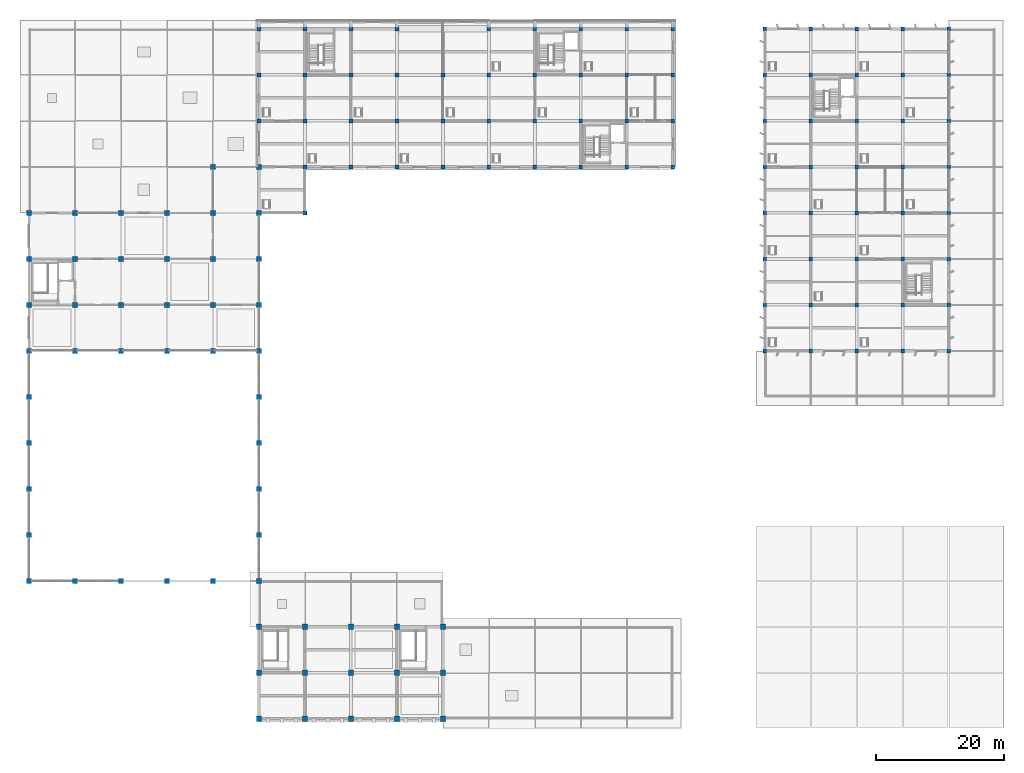
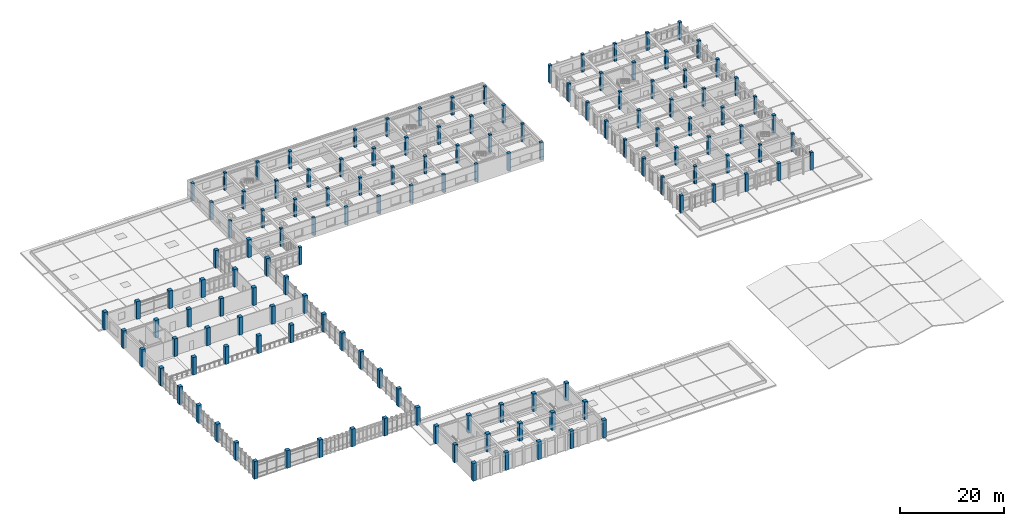
# One storey, part 1 of 62: 134 columns.
"""IFC4 building model written with IfcOpenShell, lengths in metres."""

from ifc_helpers import new_model, si_unit, direction, frame, origin, origin_2d, place, context, subcontext, project, spatial, rectangle, extrude, material, material_profile, profile_set, type_object, element, save


model = new_model("IFC4")

# Units and contexts
model_context = context("Model", 3, precision=1e-05, world=origin(), true_north=direction((0.0, 1.0)))
body_context = subcontext(model_context, "Body", "Model", "MODEL_VIEW")
ifc_project = project(units=[si_unit("LENGTHUNIT", "METRE"), si_unit("AREAUNIT", "SQUARE_METRE"), si_unit("VOLUMEUNIT", "CUBIC_METRE"), si_unit("PLANEANGLEUNIT", "RADIAN"), si_unit("MASSUNIT", "GRAM", prefix="KILO")], contexts=[model_context])

# Site, building, storey
site_placement = place(None, origin())
site = spatial("IfcSite", under=ifc_project, at=site_placement, CompositionType="ELEMENT")
building_placement = place(site_placement, origin())
building = spatial("IfcBuilding", under=site, at=building_placement, Name="Kavelor Marine Aquarium", CompositionType="ELEMENT")
storey_placement = place(building_placement, frame((0.0, 0.0, 13.5)))
storey = spatial("IfcBuildingStorey", under=building, at=storey_placement, Name="L03", CompositionType="ELEMENT", Elevation=13.5)

# Columns
ifc_material_1 = material(Name="Concrete C40/50", Category="concrete")
ifc_material_profile_1 = material_profile(ifc_material_1, rectangle(XDim=0.800048828125, YDim=0.800048828125, at=origin_2d()), Name="RC-COL 800x800")
ifc_profile_set_1 = profile_set([ifc_material_profile_1], Name="Concrete C40/50")
column_type_1 = type_object("IfcColumnType", Name="COL-C3", PredefinedType="COLUMN", material=ifc_profile_set_1)
for number, where, z_axis, x_axis, name in (
    (1, (3.199951171875, 24.39990234375, 0.0), (0.0, 0.0, 1.0), (1.0, 0.0, 0.0), "col:L03:00_03"),
    (2, (3.199951171875, 31.60009765625, 0.0), (0.0, 0.0, 1.0), (1.0, 0.0, 0.0), "col:L03:00_04"),
    (3, (3.199951171875, 38.800048828125, 0.0), (0.0, 0.0, 1.0), (1.0, 0.0, 0.0), "col:L03:00_05"),
    (4, (3.199951171875, 46.0, 0.0), (0.0, 0.0, 1.0), (1.0, 0.0, 0.0), "col:L03:00_06"),
    (5, (3.199951171875, 53.199951171875, 0.0), (0.0, 0.0, 1.0), (1.0, 0.0, 0.0), "col:L03:00_07"),
    (6, (3.199951171875, 60.39990234375, 0.0), (0.0, 0.0, 1.0), (1.0, 0.0, 0.0), "col:L03:00_08"),
    (7, (3.199951171875, 67.60009765625, 0.0), (0.0, 0.0, 1.0), (1.0, 0.0, 0.0), "col:L03:00_09"),
    (8, (3.199951171875, 74.800048828125, 0.0), (0.0, 0.0, 1.0), (1.0, 0.0, 0.0), "col:L03:00_10"),
    (9, (3.199951171875, 82.0, 0.0), (0.0, 0.0, 1.0), (1.0, 0.0, 0.0), "col:L03:00_11"),
    (10, (10.39990234375, 24.39990234375, 0.0), (0.0, 0.0, 1.0), (1.0, 0.0, 0.0), "col:L03:01_03"),
    (11, (10.39990234375, 60.39990234375, 0.0), (0.0, 0.0, 1.0), (1.0, 0.0, 0.0), "col:L03:01_08"),
    (12, (10.39990234375, 67.60009765625, 0.0), (0.0, 0.0, 1.0), (1.0, 0.0, 0.0), "col:L03:01_09"),
    (13, (10.39990234375, 74.800048828125, 0.0), (0.0, 0.0, 1.0), (1.0, 0.0, 0.0), "col:L03:01_10"),
    (14, (10.39990234375, 82.0, 0.0), (0.0, 0.0, 1.0), (1.0, 0.0, 0.0), "col:L03:01_11"),
    (15, (17.60009765625, 24.39990234375, 0.0), (0.0, 0.0, 1.0), (1.0, 0.0, 0.0), "col:L03:02_03"),
    (16, (17.60009765625, 60.39990234375, 0.0), (0.0, 0.0, 1.0), (1.0, 0.0, 0.0), "col:L03:02_08"),
    (17, (17.60009765625, 67.60009765625, 0.0), (0.0, 0.0, 1.0), (1.0, 0.0, 0.0), "col:L03:02_09"),
    (18, (17.60009765625, 74.800048828125, 0.0), (0.0, 0.0, 1.0), (1.0, 0.0, 0.0), "col:L03:02_10"),
    (19, (17.60009765625, 82.0, 0.0), (0.0, 0.0, 1.0), (1.0, 0.0, 0.0), "col:L03:02_11"),
    (20, (24.800048828125, 24.39990234375, 0.0), (0.0, 0.0, 1.0), (1.0, 0.0, 0.0), "col:L03:03_03"),
    (21, (24.800048828125, 60.39990234375, 0.0), (0.0, 0.0, 1.0), (1.0, 0.0, 0.0), "col:L03:03_08"),
    (22, (24.800048828125, 67.60009765625, 0.0), (0.0, 0.0, 1.0), (1.0, 0.0, 0.0), "col:L03:03_09"),
    (23, (24.800048828125, 74.800048828125, 0.0), (0.0, 0.0, 1.0), (1.0, 0.0, 0.0), "col:L03:03_10"),
    (24, (24.800048828125, 82.0, 0.0), (0.0, 0.0, 1.0), (1.0, 0.0, 0.0), "col:L03:03_11"),
    (25, (32.0, 24.39990234375, 0.0), (0.0, 0.0, 1.0), (1.0, 0.0, 0.0), "col:L03:04_03"),
    (26, (32.0, 60.39990234375, 0.0), (0.0, 0.0, 1.0), (1.0, 0.0, 0.0), "col:L03:04_08"),
    (27, (32.0, 67.60009765625, 0.0), (0.0, 0.0, 1.0), (1.0, 0.0, 0.0), "col:L03:04_09"),
    (28, (32.0, 74.800048828125, 0.0), (0.0, 0.0, 1.0), (1.0, 0.0, 0.0), "col:L03:04_10"),
    (29, (32.0, 82.0, 0.0), (0.0, 0.0, 1.0), (1.0, 0.0, 0.0), "col:L03:04_11"),
    (30, (32.0, 89.199951171875, 0.0), (0.0, 0.0, 1.0), (1.0, 0.0, 0.0), "col:L03:04_12"),
    (31, (39.199951171875, 2.800048828125, 0.0), (0.0, 0.0, 1.0), (1.0, 0.0, 0.0), "col:L03:05_00"),
    (32, (39.199951171875, 10.0, 0.0), (0.0, 0.0, 1.0), (1.0, 0.0, 0.0), "col:L03:05_01"),
    (33, (39.199951171875, 17.199951171875, 0.0), (0.0, 0.0, 1.0), (1.0, 0.0, 0.0), "col:L03:05_02"),
    (34, (39.199951171875, 24.39990234375, 0.0), (0.0, 0.0, 1.0), (1.0, 0.0, 0.0), "col:L03:05_03"),
    (35, (39.199951171875, 31.60009765625, 0.0), (0.0, 0.0, 1.0), (1.0, 0.0, 0.0), "col:L03:05_04"),
    (36, (39.199951171875, 38.800048828125, 0.0), (0.0, 0.0, 1.0), (1.0, 0.0, 0.0), "col:L03:05_05"),
    (37, (39.199951171875, 46.0, 0.0), (0.0, 0.0, 1.0), (1.0, 0.0, 0.0), "col:L03:05_06"),
    (38, (39.199951171875, 53.199951171875, 0.0), (0.0, 0.0, 1.0), (1.0, 0.0, 0.0), "col:L03:05_07"),
    (39, (39.199951171875, 60.39990234375, 0.0), (0.0, 0.0, 1.0), (1.0, 0.0, 0.0), "col:L03:05_08"),
    (40, (39.199951171875, 67.60009765625, 0.0), (0.0, 0.0, 1.0), (1.0, 0.0, 0.0), "col:L03:05_09"),
    (41, (39.199951171875, 74.800048828125, 0.0), (0.0, 0.0, 1.0), (1.0, 0.0, 0.0), "col:L03:05_10"),
    (42, (39.199951171875, 82.0, 0.0), (0.0, 0.0, 1.0), (1.0, 0.0, 0.0), "col:L03:05_11"),
    (43, (39.199951171875, 89.199951171875, 0.0), (0.0, 0.0, 1.0), (1.0, 0.0, 0.0), "col:L03:05_12"),
    (44, (46.39990234375, 2.800048828125, 0.0), (0.0, 0.0, 1.0), (1.0, 0.0, 0.0), "col:L03:06_00"),
    (45, (46.39990234375, 10.0, 0.0), (0.0, 0.0, 1.0), (1.0, 0.0, 0.0), "col:L03:06_01"),
    (46, (46.39990234375, 17.199951171875, 0.0), (0.0, 0.0, 1.0), (1.0, 0.0, 0.0), "col:L03:06_02"),
    (47, (53.60009765625, 2.800048828125, 0.0), (0.0, 0.0, 1.0), (1.0, 0.0, 0.0), "col:L03:07_00"),
    (48, (53.60009765625, 10.0, 0.0), (0.0, 0.0, 1.0), (1.0, 0.0, 0.0), "col:L03:07_01"),
    (49, (53.60009765625, 17.199951171875, 0.0), (0.0, 0.0, 1.0), (1.0, 0.0, 0.0), "col:L03:07_02"),
    (50, (60.800048828125, 2.800048828125, 0.0), (0.0, 0.0, 1.0), (1.0, 0.0, 0.0), "col:L03:08_00"),
    (51, (60.800048828125, 10.0, 0.0), (0.0, 0.0, 1.0), (1.0, 0.0, 0.0), "col:L03:08_01"),
    (52, (60.800048828125, 17.199951171875, 0.0), (0.0, 0.0, 1.0), (1.0, 0.0, 0.0), "col:L03:08_02"),
    (53, (68.0, 2.800048828125, 0.0), (0.0, 0.0, 1.0), (1.0, 0.0, 0.0), "col:L03:09_00"),
    (54, (68.0, 10.0, 0.0), (0.0, 0.0, 1.0), (1.0, 0.0, 0.0), "col:L03:09_01"),
    (55, (68.0, 17.199951171875, 0.0), (0.0, 0.0, 1.0), (1.0, 0.0, 0.0), "col:L03:09_02"),
):
    element("IfcColumn", number, at=place(storey_placement, frame(where, z_axis=z_axis, x_axis=x_axis)), inside=storey, type_object=column_type_1, Name=name, PredefinedType="COLUMN", context=body_context, shape_type="SweptSolid", body=[
        extrude(rectangle(XDim=0.800048828125, YDim=0.800048828125, at=origin_2d()), origin(), (0.0, 0.0, 1.0), 4.139892578125),
    ])
ifc_material_2 = material(Name="Concrete C40/50", Category="concrete")
ifc_material_profile_2 = material_profile(ifc_material_2, rectangle(XDim=0.60009765625, YDim=0.60009765625, at=origin_2d()), Name="RC-COL 600x600")
ifc_profile_set_2 = profile_set([ifc_material_profile_2], Name="Concrete C40/50")
column_type_2 = type_object("IfcColumnType", Name="COL-C5", PredefinedType="COLUMN", material=ifc_profile_set_2)
for number, where, z_axis, x_axis, name in (
    (56, (39.199951171875, 96.39990234375, 0.0), (0.0, 0.0, 1.0), (1.0, 0.0, 0.0), "col:L03:05_13"),
    (57, (39.199951171875, 103.60009765625, 0.0), (0.0, 0.0, 1.0), (1.0, 0.0, 0.0), "col:L03:05_14"),
    (58, (39.199951171875, 110.800048828125, 0.0), (0.0, 0.0, 1.0), (1.0, 0.0, 0.0), "col:L03:05_15"),
    (59, (46.39990234375, 82.0, 0.0), (0.0, 0.0, 1.0), (1.0, 0.0, 0.0), "col:L03:06_11"),
    (60, (46.39990234375, 89.199951171875, 0.0), (0.0, 0.0, 1.0), (1.0, 0.0, 0.0), "col:L03:06_12"),
    (61, (46.39990234375, 96.39990234375, 0.0), (0.0, 0.0, 1.0), (1.0, 0.0, 0.0), "col:L03:06_13"),
    (62, (46.39990234375, 103.60009765625, 0.0), (0.0, 0.0, 1.0), (1.0, 0.0, 0.0), "col:L03:06_14"),
    (63, (46.39990234375, 110.800048828125, 0.0), (0.0, 0.0, 1.0), (1.0, 0.0, 0.0), "col:L03:06_15"),
    (64, (53.60009765625, 89.199951171875, 0.0), (0.0, 0.0, 1.0), (1.0, 0.0, 0.0), "col:L03:07_12"),
    (65, (53.60009765625, 96.39990234375, 0.0), (0.0, 0.0, 1.0), (1.0, 0.0, 0.0), "col:L03:07_13"),
    (66, (53.60009765625, 103.60009765625, 0.0), (0.0, 0.0, 1.0), (1.0, 0.0, 0.0), "col:L03:07_14"),
    (67, (53.60009765625, 110.800048828125, 0.0), (0.0, 0.0, 1.0), (1.0, 0.0, 0.0), "col:L03:07_15"),
    (68, (60.800048828125, 89.199951171875, 0.0), (0.0, 0.0, 1.0), (1.0, 0.0, 0.0), "col:L03:08_12"),
    (69, (60.800048828125, 96.39990234375, 0.0), (0.0, 0.0, 1.0), (1.0, 0.0, 0.0), "col:L03:08_13"),
    (70, (60.800048828125, 103.60009765625, 0.0), (0.0, 0.0, 1.0), (1.0, 0.0, 0.0), "col:L03:08_14"),
    (71, (60.800048828125, 110.800048828125, 0.0), (0.0, 0.0, 1.0), (1.0, 0.0, 0.0), "col:L03:08_15"),
    (72, (68.0, 89.199951171875, 0.0), (0.0, 0.0, 1.0), (1.0, 0.0, 0.0), "col:L03:09_12"),
    (73, (68.0, 96.39990234375, 0.0), (0.0, 0.0, 1.0), (1.0, 0.0, 0.0), "col:L03:09_13"),
    (74, (68.0, 103.60009765625, 0.0), (0.0, 0.0, 1.0), (1.0, 0.0, 0.0), "col:L03:09_14"),
    (75, (75.199951171875, 89.199951171875, 0.0), (0.0, 0.0, 1.0), (1.0, 0.0, 0.0), "col:L03:10_12"),
    (76, (75.199951171875, 96.39990234375, 0.0), (0.0, 0.0, 1.0), (1.0, 0.0, 0.0), "col:L03:10_13"),
    (77, (75.199951171875, 103.60009765625, 0.0), (0.0, 0.0, 1.0), (1.0, 0.0, 0.0), "col:L03:10_14"),
    (78, (75.199951171875, 110.800048828125, 0.0), (0.0, 0.0, 1.0), (1.0, 0.0, 0.0), "col:L03:10_15"),
    (79, (82.39990234375, 89.199951171875, 0.0), (0.0, 0.0, 1.0), (1.0, 0.0, 0.0), "col:L03:11_12"),
    (80, (82.39990234375, 96.39990234375, 0.0), (0.0, 0.0, 1.0), (1.0, 0.0, 0.0), "col:L03:11_13"),
    (81, (82.39990234375, 103.60009765625, 0.0), (0.0, 0.0, 1.0), (1.0, 0.0, 0.0), "col:L03:11_14"),
    (82, (82.39990234375, 110.800048828125, 0.0), (0.0, 0.0, 1.0), (1.0, 0.0, 0.0), "col:L03:11_15"),
    (83, (89.60009765625, 89.199951171875, 0.0), (0.0, 0.0, 1.0), (1.0, 0.0, 0.0), "col:L03:12_12"),
    (84, (89.60009765625, 96.39990234375, 0.0), (0.0, 0.0, 1.0), (1.0, 0.0, 0.0), "col:L03:12_13"),
    (85, (89.60009765625, 103.60009765625, 0.0), (0.0, 0.0, 1.0), (1.0, 0.0, 0.0), "col:L03:12_14"),
    (86, (89.60009765625, 110.800048828125, 0.0), (0.0, 0.0, 1.0), (1.0, 0.0, 0.0), "col:L03:12_15"),
    (87, (96.800048828125, 89.199951171875, 0.0), (0.0, 0.0, 1.0), (1.0, 0.0, 0.0), "col:L03:13_12"),
    (88, (96.800048828125, 96.39990234375, 0.0), (0.0, 0.0, 1.0), (1.0, 0.0, 0.0), "col:L03:13_13"),
    (89, (96.800048828125, 103.60009765625, 0.0), (0.0, 0.0, 1.0), (1.0, 0.0, 0.0), "col:L03:13_14"),
    (90, (96.800048828125, 110.800048828125, 0.0), (0.0, 0.0, 1.0), (1.0, 0.0, 0.0), "col:L03:13_15"),
    (91, (104.0, 89.199951171875, 0.0), (0.0, 0.0, 1.0), (1.0, 0.0, 0.0), "col:L03:14_12"),
    (92, (104.0, 96.39990234375, 0.0), (0.0, 0.0, 1.0), (1.0, 0.0, 0.0), "col:L03:14_13"),
    (93, (104.0, 103.60009765625, 0.0), (0.0, 0.0, 1.0), (1.0, 0.0, 0.0), "col:L03:14_14"),
    (94, (104.0, 110.800048828125, 0.0), (0.0, 0.0, 1.0), (1.0, 0.0, 0.0), "col:L03:14_15"),
    (95, (118.39990234375, 60.39990234375, 0.0), (0.0, 0.0, 1.0), (1.0, 0.0, 0.0), "col:L03:16_08"),
    (96, (118.39990234375, 67.60009765625, 0.0), (0.0, 0.0, 1.0), (1.0, 0.0, 0.0), "col:L03:16_09"),
    (97, (118.39990234375, 74.800048828125, 0.0), (0.0, 0.0, 1.0), (1.0, 0.0, 0.0), "col:L03:16_10"),
    (98, (118.39990234375, 82.0, 0.0), (0.0, 0.0, 1.0), (1.0, 0.0, 0.0), "col:L03:16_11"),
    (99, (118.39990234375, 89.199951171875, 0.0), (0.0, 0.0, 1.0), (1.0, 0.0, 0.0), "col:L03:16_12"),
    (100, (118.39990234375, 96.39990234375, 0.0), (0.0, 0.0, 1.0), (1.0, 0.0, 0.0), "col:L03:16_13"),
    (101, (118.39990234375, 103.60009765625, 0.0), (0.0, 0.0, 1.0), (1.0, 0.0, 0.0), "col:L03:16_14"),
    (102, (118.39990234375, 110.800048828125, 0.0), (0.0, 0.0, 1.0), (1.0, 0.0, 0.0), "col:L03:16_15"),
    (103, (125.60009765625, 60.39990234375, 0.0), (0.0, 0.0, 1.0), (1.0, 0.0, 0.0), "col:L03:17_08"),
    (104, (125.60009765625, 67.60009765625, 0.0), (0.0, 0.0, 1.0), (1.0, 0.0, 0.0), "col:L03:17_09"),
    (105, (125.60009765625, 74.800048828125, 0.0), (0.0, 0.0, 1.0), (1.0, 0.0, 0.0), "col:L03:17_10"),
    (106, (125.60009765625, 82.0, 0.0), (0.0, 0.0, 1.0), (1.0, 0.0, 0.0), "col:L03:17_11"),
    (107, (125.60009765625, 89.199951171875, 0.0), (0.0, 0.0, 1.0), (1.0, 0.0, 0.0), "col:L03:17_12"),
    (108, (125.60009765625, 96.39990234375, 0.0), (0.0, 0.0, 1.0), (1.0, 0.0, 0.0), "col:L03:17_13"),
    (109, (125.60009765625, 103.60009765625, 0.0), (0.0, 0.0, 1.0), (1.0, 0.0, 0.0), "col:L03:17_14"),
    (110, (125.60009765625, 110.800048828125, 0.0), (0.0, 0.0, 1.0), (1.0, 0.0, 0.0), "col:L03:17_15"),
    (111, (132.800048828125, 60.39990234375, 0.0), (0.0, 0.0, 1.0), (1.0, 0.0, 0.0), "col:L03:18_08"),
    (112, (132.800048828125, 67.60009765625, 0.0), (0.0, 0.0, 1.0), (1.0, 0.0, 0.0), "col:L03:18_09"),
    (113, (132.800048828125, 74.800048828125, 0.0), (0.0, 0.0, 1.0), (1.0, 0.0, 0.0), "col:L03:18_10"),
    (114, (132.800048828125, 82.0, 0.0), (0.0, 0.0, 1.0), (1.0, 0.0, 0.0), "col:L03:18_11"),
    (115, (132.800048828125, 89.199951171875, 0.0), (0.0, 0.0, 1.0), (1.0, 0.0, 0.0), "col:L03:18_12"),
    (116, (132.800048828125, 96.39990234375, 0.0), (0.0, 0.0, 1.0), (1.0, 0.0, 0.0), "col:L03:18_13"),
    (117, (132.800048828125, 103.60009765625, 0.0), (0.0, 0.0, 1.0), (1.0, 0.0, 0.0), "col:L03:18_14"),
    (118, (132.800048828125, 110.800048828125, 0.0), (0.0, 0.0, 1.0), (1.0, 0.0, 0.0), "col:L03:18_15"),
    (119, (140.0, 60.39990234375, 0.0), (0.0, 0.0, 1.0), (1.0, 0.0, 0.0), "col:L03:19_08"),
    (120, (140.0, 67.60009765625, 0.0), (0.0, 0.0, 1.0), (1.0, 0.0, 0.0), "col:L03:19_09"),
    (121, (140.0, 74.800048828125, 0.0), (0.0, 0.0, 1.0), (1.0, 0.0, 0.0), "col:L03:19_10"),
    (122, (140.0, 82.0, 0.0), (0.0, 0.0, 1.0), (1.0, 0.0, 0.0), "col:L03:19_11"),
    (123, (140.0, 89.199951171875, 0.0), (0.0, 0.0, 1.0), (1.0, 0.0, 0.0), "col:L03:19_12"),
    (124, (140.0, 96.39990234375, 0.0), (0.0, 0.0, 1.0), (1.0, 0.0, 0.0), "col:L03:19_13"),
    (125, (140.0, 103.60009765625, 0.0), (0.0, 0.0, 1.0), (1.0, 0.0, 0.0), "col:L03:19_14"),
    (126, (140.0, 110.800048828125, 0.0), (0.0, 0.0, 1.0), (1.0, 0.0, 0.0), "col:L03:19_15"),
    (127, (147.199951171875, 60.39990234375, 0.0), (0.0, 0.0, 1.0), (1.0, 0.0, 0.0), "col:L03:20_08"),
    (128, (147.199951171875, 67.60009765625, 0.0), (0.0, 0.0, 1.0), (1.0, 0.0, 0.0), "col:L03:20_09"),
    (129, (147.199951171875, 74.800048828125, 0.0), (0.0, 0.0, 1.0), (1.0, 0.0, 0.0), "col:L03:20_10"),
    (130, (147.199951171875, 82.0, 0.0), (0.0, 0.0, 1.0), (1.0, 0.0, 0.0), "col:L03:20_11"),
    (131, (147.199951171875, 89.199951171875, 0.0), (0.0, 0.0, 1.0), (1.0, 0.0, 0.0), "col:L03:20_12"),
    (132, (147.199951171875, 96.39990234375, 0.0), (0.0, 0.0, 1.0), (1.0, 0.0, 0.0), "col:L03:20_13"),
    (133, (147.199951171875, 103.60009765625, 0.0), (0.0, 0.0, 1.0), (1.0, 0.0, 0.0), "col:L03:20_14"),
    (134, (147.199951171875, 110.800048828125, 0.0), (0.0, 0.0, 1.0), (1.0, 0.0, 0.0), "col:L03:20_15"),
):
    element("IfcColumn", number, at=place(storey_placement, frame(where, z_axis=z_axis, x_axis=x_axis)), inside=storey, type_object=column_type_2, Name=name, PredefinedType="COLUMN", context=body_context, shape_type="SweptSolid", body=[
        extrude(rectangle(XDim=0.60009765625, YDim=0.60009765625, at=origin_2d()), origin(), (0.0, 0.0, 1.0), 4.139892578125),
    ])

save(model, "model.ifc")
